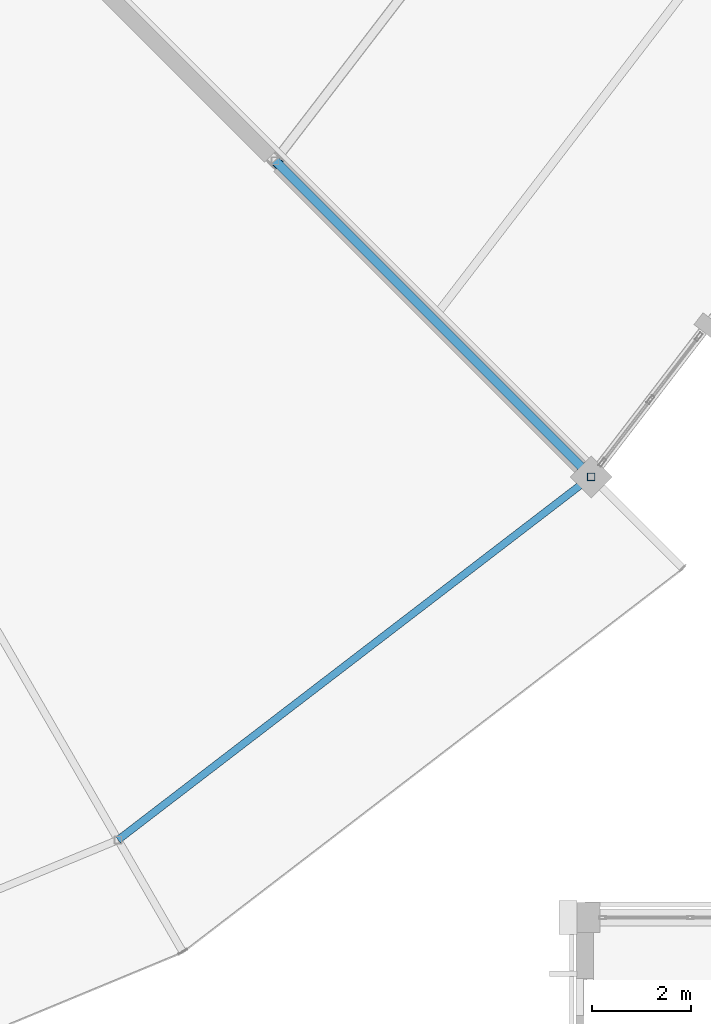
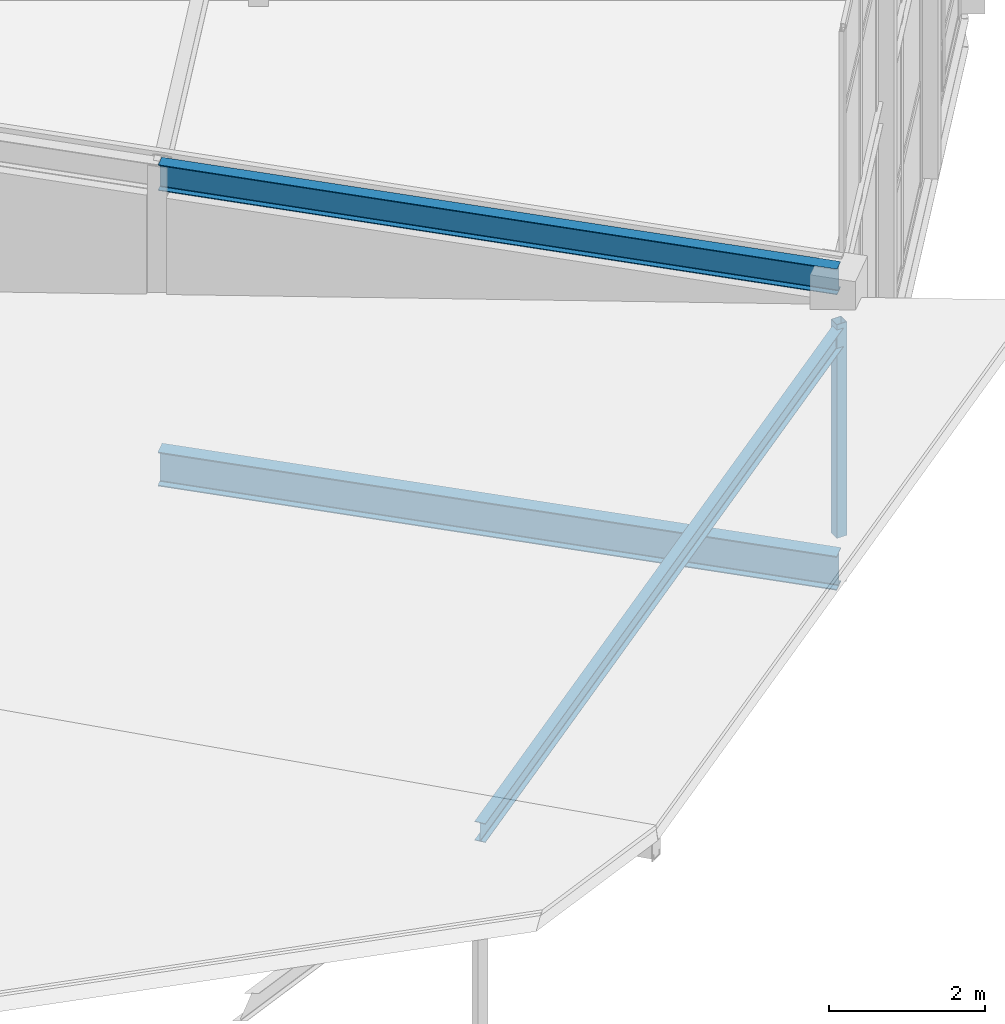
# One storey, part 104 of 185: 3 beams, 1 member.
"""IFC4 building model written with IfcOpenShell, lengths in metres."""

from ifc_helpers import new_model, si_unit, direction, frame, origin, origin_2d, place, context, subcontext, project, spatial, hollow_rectangle, i_section, extrude, material, material_profile, profile_set, type_object, element, save


model = new_model("IFC4")

# Units and contexts
model_context = context("Model", 3, precision=1e-05, world=origin(), true_north=direction((0.0, 1.0)))
body_context = subcontext(model_context, "Body", "Model", "MODEL_VIEW")
ifc_project = project(units=[si_unit("LENGTHUNIT", "METRE"), si_unit("AREAUNIT", "SQUARE_METRE"), si_unit("VOLUMEUNIT", "CUBIC_METRE"), si_unit("PLANEANGLEUNIT", "RADIAN"), si_unit("MASSUNIT", "GRAM", prefix="KILO")], contexts=[model_context])

# Site, building, storey
site_placement = place(None, origin())
site = spatial("IfcSite", under=ifc_project, at=site_placement, CompositionType="ELEMENT")
building_placement = place(site_placement, origin())
building = spatial("IfcBuilding", under=site, at=building_placement, Name="Vondelvale Polytechnic", CompositionType="ELEMENT")
storey_placement = place(building_placement, frame((0.0, 0.0, 9.60009765625)))
storey = spatial("IfcBuildingStorey", under=building, at=storey_placement, Name="L02", CompositionType="ELEMENT", Elevation=9.60009765625)

# Beams
ifc_material_1 = material(Name="Steel 300PLUS (fy = 300 MPa)", Category="steel")
ifc_material_profile_1 = material_profile(ifc_material_1, i_section(OverallWidth=0.14892578125, OverallDepth=0.298095703125, WebThickness=0.005615234375, FlangeThickness=0.008056640625, FilletRadius=0.011474609375, at=origin_2d()), Name="310UB32.0")
ifc_profile_set_1 = profile_set([ifc_material_profile_1], Name="Steel 300PLUS (fy = 300 MPa)")
beam_type_1 = type_object("IfcBeamType", Name="BM-UB310L", PredefinedType="BEAM", material=ifc_profile_set_1)
beam_1_placement = place(storey_placement, frame((125.0, 32.162841796875, 3.110595703125), z_axis=(0.793349743808, 0.608766116008, 0.0), x_axis=(-0.608766116008, 0.793349743808, 0.0)))
element("IfcBeam", 1, at=beam_1_placement, inside=storey, type_object=beam_type_1, Name="L02 RE B-25", PredefinedType="BEAM", context=body_context, shape_type="SweptSolid", body=[
    extrude(i_section(OverallWidth=0.14892578125, OverallDepth=0.298095703125, WebThickness=0.005615234375, FlangeThickness=0.008056640625, FilletRadius=0.011474609375, at=origin_2d()), origin(), (0.0, 0.0, 1.0), 12.00830078125),
])
ifc_material_profile_2 = material_profile(ifc_material_1, i_section(OverallWidth=0.177978515625, OverallDepth=0.403076171875, WebThickness=0.007568359375, FlangeThickness=0.010986328125, FilletRadius=0.011474609375, at=origin_2d()), Name="410UB53.7")
ifc_profile_set_2 = profile_set([ifc_material_profile_2], Name="Steel 300PLUS (fy = 300 MPa)")
beam_type_2 = type_object("IfcBeamType", Name="BM-UB410L", PredefinedType="BEAM", material=ifc_profile_set_2)
beam_2_placement = place(storey_placement, frame((128.1630859375, 45.8369140625, 3.998291015625), z_axis=(0.707106781187, -0.707106781187, 0.0), x_axis=(0.707106781187, 0.707106781187, 0.0)))
element("IfcBeam", 2, at=beam_2_placement, inside=storey, type_object=beam_type_2, Name="L02 REG B-23", PredefinedType="BEAM", context=body_context, shape_type="SweptSolid", body=[
    extrude(i_section(OverallWidth=0.177978515625, OverallDepth=0.403076171875, WebThickness=0.007568359375, FlangeThickness=0.010986328125, FilletRadius=0.011474609375, at=origin_2d()), origin(), (0.0, 0.0, 1.0), 8.999755859375),
])
ifc_material_profile_3 = material_profile(ifc_material_1, i_section(OverallWidth=0.208984375, OverallDepth=0.532958984375, WebThickness=0.01025390625, FlangeThickness=0.015625, FilletRadius=0.013916015625, at=origin_2d()), Name="530UB92.4")
ifc_profile_set_3 = profile_set([ifc_material_profile_3], Name="Steel 300PLUS (fy = 300 MPa)")
beam_type_3 = type_object("IfcBeamType", Name="BM-UB530", PredefinedType="BEAM", material=ifc_profile_set_3)
beam_3_placement = place(storey_placement, frame((128.1630859375, 45.8369140625, -0.546630859375), z_axis=(0.707106781187, -0.707106781187, 0.0), x_axis=(0.707106781187, 0.707106781187, 0.0)))
element("IfcBeam", 3, at=beam_3_placement, inside=storey, type_object=beam_type_3, Name="L02 RG B-11", PredefinedType="BEAM", context=body_context, shape_type="SweptSolid", body=[
    extrude(i_section(OverallWidth=0.208984375, OverallDepth=0.532958984375, WebThickness=0.01025390625, FlangeThickness=0.015625, FilletRadius=0.013916015625, at=origin_2d()), origin(), (0.0, 0.0, 1.0), 8.999755859375),
])

# Member
ifc_material_2 = material(Name="Steel C350L0 (fy = 350 MPa)", Category="steel")
ifc_material_profile_4 = material_profile(ifc_material_2, hollow_rectangle(XDim=0.14990234375, YDim=0.14990234375, WallThickness=0.006103515625, at=origin_2d()), Name="150x150x6.0SHS")
ifc_profile_set_4 = profile_set([ifc_material_profile_4], Name="Steel C350L0 (fy = 350 MPa)")
member_type = type_object("IfcMemberType", Name="ROOF TRUSS POST 150SHS", PredefinedType="POST", material=ifc_profile_set_4)
member_placement = place(storey_placement, frame((134.52685546875, 39.47314453125, 0.0), z_axis=(0.0, 0.0, 1.0), x_axis=(1.0, 0.0, 0.0)))
element("IfcMember", 4, at=member_placement, inside=storey, type_object=member_type, Name="Ring step outer roof post 20", PredefinedType="POST", context=body_context, shape_type="SweptSolid", body=[
    extrude(hollow_rectangle(XDim=0.14990234375, YDim=0.14990234375, WallThickness=0.006103515625, at=origin_2d()), origin(), (0.0, 0.0, 1.0), 3.339599609375),
])

save(model, "model.ifc")
